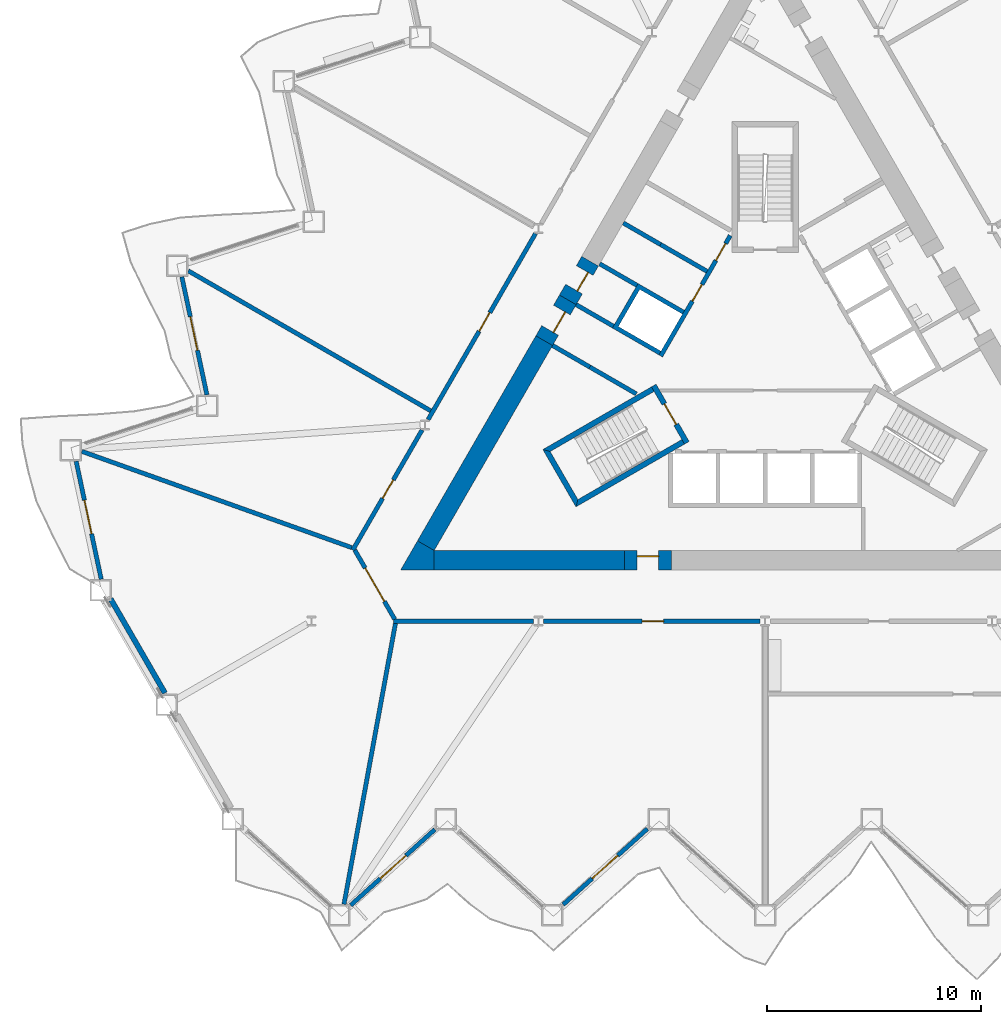
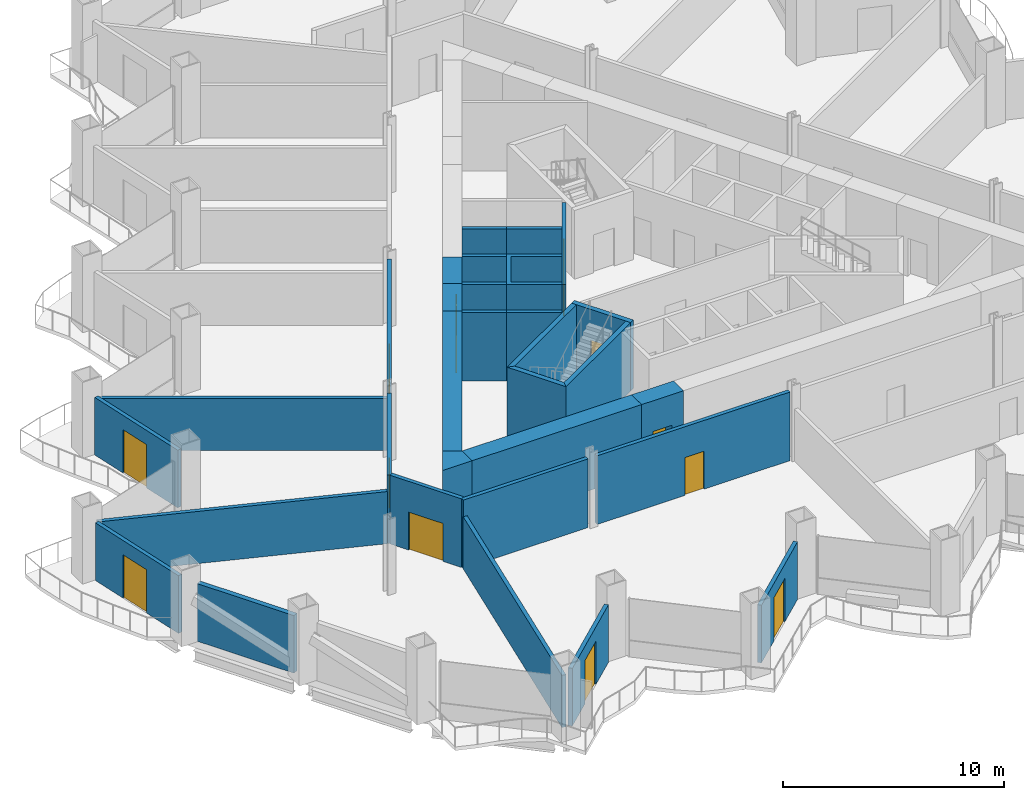
# One storey, part 9 of 21: 31 walls, 14 doors, 14 openings.
"""IFC4 building model written with IfcOpenShell, lengths in metres."""

from ifc_helpers import new_model, si_unit, direction, frame, frame_2d, origin, place, context, subcontext, project, spatial, polyline, rectangle, outline, extrude, material, layer, layer_set, type_object, element, fill, save


model = new_model("IFC4")

# Units and contexts
model_context = context("Model", 3, precision=1e-05, world=origin(), true_north=direction((0.0, 1.0)))
body_context = subcontext(model_context, "Body", "Model", "MODEL_VIEW")
ifc_project = project(units=[si_unit("LENGTHUNIT", "METRE"), si_unit("AREAUNIT", "SQUARE_METRE"), si_unit("VOLUMEUNIT", "CUBIC_METRE"), si_unit("PLANEANGLEUNIT", "RADIAN"), si_unit("MASSUNIT", "GRAM", prefix="KILO")], contexts=[model_context])

# Site, building, storey
site_placement = place(None, origin())
site = spatial("IfcSite", under=ifc_project, at=site_placement, CompositionType="ELEMENT")
building_placement = place(site_placement, origin())
building = spatial("IfcBuilding", under=site, at=building_placement, Name="Cormorant Prow Tower", CompositionType="ELEMENT")
storey_placement = place(building_placement, frame((0.0, 0.0, 80.39990234375)))
storey = spatial("IfcBuildingStorey", under=building, at=storey_placement, Name="L17", CompositionType="ELEMENT", Elevation=80.39990234375)

# Walls
ifc_material_1 = material(Name="Concrete 8000 psi", Category="concrete")
ifc_layer_1 = layer(ifc_material_1, 0.89990234375)
ifc_layer_set_1 = layer_set([ifc_layer_1], Name="Concrete 8000 psi")
wall_type_1 = type_object("IfcWallType", Name="Core shear wall 900", PredefinedType="SHEAR", material=ifc_layer_set_1)
wall_1_placement = place(storey_placement, frame((-15.441162109375, -9.364990234375, 0.0), z_axis=(0.0, 0.0, 1.0), x_axis=(1.0, 0.0, 0.0)))
element("IfcWall", 1, at=wall_1_placement, inside=storey, type_object=wall_type_1, Name="Core wall", PredefinedType="SHEAR", context=body_context, shape_type="SweptSolid", body=[
    extrude(rectangle(XDim=8.87060546875, YDim=0.89990234375, at=frame_2d((4.435302734375, 0.0))), origin(), (0.0, 0.0, 1.0), 3.800048828125),
])
wall_2_placement = place(storey_placement, frame((-10.310302734375, 0.8720703125, 0.0), z_axis=(0.0, 0.0, 1.0), x_axis=(-0.499991697393, -0.866030197244, 0.0)))
element("IfcWall", 2, at=wall_2_placement, inside=storey, type_object=wall_type_1, Name="Core wall", PredefinedType="SHEAR", context=body_context, shape_type="SweptSolid", body=[
    extrude(rectangle(XDim=11.041259765625, YDim=0.89990234375, at=frame_2d((5.5205078125, 0.0))), origin(), (0.0, 0.0, 1.0), 3.800048828125),
])
wall_3_placement = place(storey_placement, origin())
element("IfcWall", 3, at=wall_3_placement, inside=storey, type_object=wall_type_1, Name="Core wall corner", PredefinedType="SHEAR", context=body_context, shape_type="SweptSolid", body=[
    extrude(outline(polyline([(-16.220703125, -8.465087890625), (-15.441162109375, -8.9150390625), (-15.441162109375, -9.81494140625), (-17.0, -9.81494140625), (-16.220703125, -8.465087890625)])), origin(), (0.0, 0.0, 1.0), 3.800048828125),
])

# Wall, opening, door
wall_4_placement = place(storey_placement, frame((-6.570556640625, -9.364990234375, 0.0), z_axis=(0.0, 0.0, 1.0), x_axis=(1.0, 0.0, 0.0)))
wall_4 = element("IfcWall", 4, at=wall_4_placement, inside=storey, type_object=wall_type_1, Name="Core wall door panel", PredefinedType="SHEAR", context=body_context, shape_type="SweptSolid", body=[
    extrude(rectangle(XDim=2.199951171875, YDim=0.89990234375, at=frame_2d((1.10009765625, 0.0))), origin(), (0.0, 0.0, 1.0), 3.800048828125),
])
opening_1_placement = place(wall_4_placement, frame((0.60009765625, 0.0, 0.0)))
opening_1 = element("IfcOpeningElement", 5, at=opening_1_placement, cuts=wall_4, Name="Opening L17-C16", PredefinedType="OPENING", context=body_context, shape_type="SweptSolid", body=[
    extrude(rectangle(XDim=1.0, YDim=2.10009765625, at=frame_2d((0.5, 1.050048828125))), frame((0.0, 0.4599609375, 0.0), z_axis=(0.0, -1.0, 0.0), x_axis=(1.0, 0.0, 0.0)), (0.0, 0.0, 1.0), 0.919921875),
])
ifc_material_2 = material(Name="Painted steel", Category="steel")
door_type_1 = type_object("IfcDoorType", Name="Service door 1000x2100", OperationType="NOTDEFINED", PredefinedType="DOOR", material=ifc_material_2)
door_1_placement = place(opening_1_placement, origin())
door_1 = element("IfcDoor", 6, at=door_1_placement, inside=storey, type_object=door_type_1, Name="Core door, Pantry store", OperationType="SINGLE_SWING_LEFT", OverallHeight=2.10009765625, OverallWidth=1.0, PredefinedType="DOOR", context=body_context, shape_type="SweptSolid", body=[
    extrude(rectangle(XDim=1.0, YDim=2.10009765625, at=frame_2d((0.5, 1.050048828125))), frame((0.0, 0.205078125, 0.0), z_axis=(0.0, -1.0, 0.0), x_axis=(1.0, 0.0, 0.0)), (0.0, 0.0, 1.0), 0.050048828125),
])
fill(opening_1, door_1)

wall_5_placement = place(storey_placement, frame((-8.17041015625, 4.57861328125, 0.0), z_axis=(0.0, 0.0, 1.0), x_axis=(-0.499888406853, -0.866089822532, 0.0)))
wall_5 = element("IfcWall", 7, at=wall_5_placement, inside=storey, type_object=wall_type_1, Name="Core wall door panel", PredefinedType="SHEAR", context=body_context, shape_type="SweptSolid", body=[
    extrude(rectangle(XDim=2.080078125, YDim=0.89990234375, at=frame_2d((1.0400390625, 0.0))), origin(), (0.0, 0.0, 1.0), 3.800048828125),
])
opening_2_placement = place(wall_5_placement, frame((0.5, 0.0, 0.0)))
opening_2 = element("IfcOpeningElement", 8, at=opening_2_placement, cuts=wall_5, Name="Opening L17-C19", PredefinedType="OPENING", context=body_context, shape_type="SweptSolid", body=[
    extrude(rectangle(XDim=1.0, YDim=2.10009765625, at=frame_2d((0.5, 1.050048828125))), frame((0.0, 0.4599609375, 0.0), z_axis=(0.0, -1.0, 0.0), x_axis=(1.0, 0.0, 0.0)), (0.0, 0.0, 1.0), 0.919921875),
])
door_2_placement = place(opening_2_placement, origin())
door_2 = element("IfcDoor", 9, at=door_2_placement, inside=storey, type_object=door_type_1, Name="Core door, Telecom room", OperationType="SINGLE_SWING_RIGHT", OverallHeight=2.10009765625, OverallWidth=1.0, PredefinedType="DOOR", context=body_context, shape_type="SweptSolid", body=[
    extrude(rectangle(XDim=1.0, YDim=2.10009765625, at=frame_2d((0.5, 1.050048828125))), frame((0.0, 0.205078125, 0.0), z_axis=(0.0, -1.0, 0.0), x_axis=(1.0, 0.0, 0.0)), (0.0, 0.0, 1.0), 0.050048828125),
])
fill(opening_2, door_2)

wall_6_placement = place(storey_placement, frame((-9.210205078125, 2.777099609375, 0.0), z_axis=(0.0, 0.0, 1.0), x_axis=(-0.500077893725, -0.86598042715, 0.0)))
wall_6 = element("IfcWall", 10, at=wall_6_placement, inside=storey, type_object=wall_type_1, Name="Core wall door panel", PredefinedType="SHEAR", context=body_context, shape_type="SweptSolid", body=[
    extrude(rectangle(XDim=2.199951171875, YDim=0.89990234375, at=frame_2d((1.10009765625, 0.0))), origin(), (0.0, 0.0, 1.0), 3.800048828125),
])
opening_3_placement = place(wall_6_placement, frame((0.550048828125, 0.0, 0.0)))
opening_3 = element("IfcOpeningElement", 11, at=opening_3_placement, cuts=wall_6, Name="Opening L17-C23", PredefinedType="OPENING", context=body_context, shape_type="SweptSolid", body=[
    extrude(rectangle(XDim=1.10009765625, YDim=2.10009765625, at=frame_2d((0.550048828125, 1.050048828125))), frame((0.0, 0.4599609375, 0.0), z_axis=(0.0, -1.0, 0.0), x_axis=(1.0, 0.0, 0.0)), (0.0, 0.0, 1.0), 0.919921875),
])
ifc_material_3 = material(Name="Painted steel", Category="steel")
door_type_2 = type_object("IfcDoorType", Name="Core door 1100x2100", OperationType="NOTDEFINED", PredefinedType="DOOR", material=ifc_material_3)
door_3_placement = place(opening_3_placement, origin())
door_3 = element("IfcDoor", 12, at=door_3_placement, inside=storey, type_object=door_type_2, Name="Core door, lift lobby", OperationType="SINGLE_SWING_LEFT", OverallHeight=2.10009765625, OverallWidth=1.10009765625, PredefinedType="DOOR", context=body_context, shape_type="SweptSolid", body=[
    extrude(rectangle(XDim=1.10009765625, YDim=2.10009765625, at=frame_2d((0.550048828125, 1.050048828125))), frame((0.0, 0.205078125, 0.0), z_axis=(0.0, -1.0, 0.0), x_axis=(1.0, 0.0, 0.0)), (0.0, 0.0, 1.0), 0.050048828125),
])
fill(opening_3, door_3)

ifc_material_4 = material(Name="Gypsum board corridor wall")
ifc_layer_2 = layer(ifc_material_4, 0.199951171875)
ifc_layer_set_2 = layer_set([ifc_layer_2], Name="Gypsum board corridor wall")
wall_type_2 = type_object("IfcWallType", Name="Corridor wall 200", PredefinedType="PARTITIONING", material=ifc_layer_set_2)
wall_7_placement = place(storey_placement, frame((-10.336181640625, -12.215087890625, 0.0), z_axis=(0.0, 0.0, 1.0), x_axis=(1.0, 0.0, 0.0)))
wall_7 = element("IfcWall", 13, at=wall_7_placement, inside=storey, type_object=wall_type_2, Name="Corridor wall", PredefinedType="PARTITIONING", context=body_context, shape_type="SweptSolid", body=[
    extrude(rectangle(XDim=10.093994140625, YDim=0.199951171875, at=frame_2d((5.046875, 0.0))), origin(), (0.0, 0.0, 1.0), 3.800048828125),
])
opening_4_placement = place(wall_7_placement, frame((4.597412109375, 0.0, 0.0)))
opening_4 = element("IfcOpeningElement", 14, at=opening_4_placement, cuts=wall_7, Name="Opening L17-F01", PredefinedType="OPENING", context=body_context, shape_type="SweptSolid", body=[
    extrude(rectangle(XDim=1.0, YDim=2.10009765625, at=frame_2d((0.5, 1.050048828125))), frame((0.0, 0.10986328125, 0.0), z_axis=(0.0, -1.0, 0.0), x_axis=(1.0, 0.0, 0.0)), (0.0, 0.0, 1.0), 0.219970703125),
])
ifc_material_5 = material(Name="Timber door leaf", Category="wood")
door_type_3 = type_object("IfcDoorType", Name="Office door 1000x2100", OperationType="NOTDEFINED", PredefinedType="DOOR", material=ifc_material_5)
door_4_placement = place(opening_4_placement, origin())
door_4 = element("IfcDoor", 15, at=door_4_placement, inside=storey, type_object=door_type_3, Name="Tenant suite door", OperationType="SINGLE_SWING_RIGHT", OverallHeight=2.10009765625, OverallWidth=1.0, PredefinedType="DOOR", context=body_context, shape_type="SweptSolid", body=[
    extrude(rectangle(XDim=1.0, YDim=2.10009765625, at=frame_2d((0.5, 1.050048828125))), frame((0.0, 0.02490234375, 0.0), z_axis=(0.0, -1.0, 0.0), x_axis=(1.0, 0.0, 0.0)), (0.0, 0.0, 1.0), 0.050048828125),
])
fill(opening_4, door_4)

wall_8_placement = place(storey_placement, frame((-15.727783203125, -2.811279296875, 0.0), z_axis=(0.0, 0.0, 1.0), x_axis=(0.49999175339, 0.866030164915, 0.0)))
wall_8 = element("IfcWall", 16, at=wall_8_placement, inside=storey, type_object=wall_type_2, Name="Corridor wall", PredefinedType="PARTITIONING", context=body_context, shape_type="SweptSolid", body=[
    extrude(rectangle(XDim=10.018798828125, YDim=0.199951171875, at=frame_2d((5.00927734375, 0.0))), origin(), (0.0, 0.0, 1.0), 3.800048828125),
])
opening_5_placement = place(wall_8_placement, frame((4.760009765625, 0.0, 0.0)))
opening_5 = element("IfcOpeningElement", 17, at=opening_5_placement, cuts=wall_8, Name="Opening L17-F15", PredefinedType="OPENING", context=body_context, shape_type="SweptSolid", body=[
    extrude(rectangle(XDim=1.0, YDim=2.10009765625, at=frame_2d((0.5, 1.050048828125))), frame((0.0, 0.10986328125, 0.0), z_axis=(0.0, -1.0, 0.0), x_axis=(1.0, 0.0, 0.0)), (0.0, 0.0, 1.0), 0.219970703125),
])
door_5_placement = place(opening_5_placement, origin())
door_5 = element("IfcDoor", 18, at=door_5_placement, inside=storey, type_object=door_type_3, Name="Co-working room door", OperationType="SINGLE_SWING_RIGHT", OverallHeight=2.10009765625, OverallWidth=1.0, PredefinedType="DOOR", context=body_context, shape_type="SweptSolid", body=[
    extrude(rectangle(XDim=1.0, YDim=2.10009765625, at=frame_2d((0.5, 1.050048828125))), frame((0.0, 0.02490234375, 0.0), z_axis=(0.0, -1.0, 0.0), x_axis=(1.0, 0.0, 0.0)), (0.0, 0.0, 1.0), 0.050048828125),
])
fill(opening_5, door_5)

# Wall
wall_9_placement = place(storey_placement, frame((-17.330810546875, -12.215087890625, 0.0), z_axis=(0.0, 0.0, 1.0), x_axis=(1.0, 0.0, 0.0)))
element("IfcWall", 19, at=wall_9_placement, inside=storey, type_object=wall_type_2, Name="Corridor wall", PredefinedType="PARTITIONING", context=body_context, shape_type="SweptSolid", body=[
    extrude(rectangle(XDim=6.510009765625, YDim=0.199951171875, at=frame_2d((3.2548828125, 0.0))), origin(), (0.0, 0.0, 1.0), 3.800048828125),
])

# Wall, opening, door
wall_10_placement = place(storey_placement, frame((-19.243896484375, -8.901611328125, 0.0), z_axis=(0.0, 0.0, 1.0), x_axis=(0.499984737558, 0.86603421538, 0.0)))
wall_10 = element("IfcWall", 20, at=wall_10_placement, inside=storey, type_object=wall_type_2, Name="Corridor wall", PredefinedType="PARTITIONING", context=body_context, shape_type="SweptSolid", body=[
    extrude(rectangle(XDim=6.472900390625, YDim=0.199951171875, at=frame_2d((3.236328125, 0.0))), origin(), (0.0, 0.0, 1.0), 3.800048828125),
])
opening_6_placement = place(wall_10_placement, frame((2.787109375, 0.0, 0.0)))
opening_6 = element("IfcOpeningElement", 21, at=opening_6_placement, cuts=wall_10, Name="Opening L17-F16", PredefinedType="OPENING", context=body_context, shape_type="SweptSolid", body=[
    extrude(rectangle(XDim=1.0, YDim=2.10009765625, at=frame_2d((0.5, 1.050048828125))), frame((0.0, 0.10986328125, 0.0), z_axis=(0.0, -1.0, 0.0), x_axis=(1.0, 0.0, 0.0)), (0.0, 0.0, 1.0), 0.219970703125),
])
door_6_placement = place(opening_6_placement, origin())
door_6 = element("IfcDoor", 22, at=door_6_placement, inside=storey, type_object=door_type_3, Name="Tenant suite door", OperationType="SINGLE_SWING_RIGHT", OverallHeight=2.10009765625, OverallWidth=1.0, PredefinedType="DOOR", context=body_context, shape_type="SweptSolid", body=[
    extrude(rectangle(XDim=1.0, YDim=2.10009765625, at=frame_2d((0.5, 1.050048828125))), frame((0.0, 0.02490234375, 0.0), z_axis=(0.0, -1.0, 0.0), x_axis=(1.0, 0.0, 0.0)), (0.0, 0.0, 1.0), 0.050048828125),
])
fill(opening_6, door_6)

wall_11_placement = place(storey_placement, frame((-19.143798828125, -8.901611328125, 0.0), z_axis=(0.0, 0.0, 1.0), x_axis=(0.499958791762, -0.866049194065, 0.0)))
wall_11 = element("IfcWall", 23, at=wall_11_placement, inside=storey, type_object=wall_type_2, Name="Corridor wall", PredefinedType="PARTITIONING", context=body_context, shape_type="SweptSolid", body=[
    extrude(rectangle(XDim=3.725830078125, YDim=0.199951171875, at=frame_2d((1.86279296875, 0.0))), origin(), (0.0, 0.0, 1.0), 3.800048828125),
])
opening_7_placement = place(wall_11_placement, frame((0.962890625, 0.0, 0.0)))
opening_7 = element("IfcOpeningElement", 24, at=opening_7_placement, cuts=wall_11, Name="Opening L17-F17", PredefinedType="OPENING", context=body_context, shape_type="SweptSolid", body=[
    extrude(rectangle(XDim=1.800048828125, YDim=2.10009765625, at=frame_2d((0.89990234375, 1.050048828125))), frame((0.0, 0.10986328125, 0.0), z_axis=(0.0, -1.0, 0.0), x_axis=(1.0, 0.0, 0.0)), (0.0, 0.0, 1.0), 0.219970703125),
])
ifc_material_6 = material(Name="Timber door leaf", Category="wood")
door_type_4 = type_object("IfcDoorType", Name="Double door 1800x2100", OperationType="DOUBLE_DOOR_SINGLE_SWING", PredefinedType="DOOR", material=ifc_material_6)
door_7_placement = place(opening_7_placement, origin())
door_7 = element("IfcDoor", 25, at=door_7_placement, inside=storey, type_object=door_type_4, Name="Open-plan office door", OperationType="DOUBLE_DOOR_SINGLE_SWING", OverallHeight=2.10009765625, OverallWidth=1.800048828125, PredefinedType="DOOR", context=body_context, shape_type="SweptSolid", body=[
    extrude(rectangle(XDim=1.800048828125, YDim=2.10009765625, at=frame_2d((0.89990234375, 1.050048828125))), frame((0.0, 0.02490234375, 0.0), z_axis=(0.0, -1.0, 0.0), x_axis=(1.0, 0.0, 0.0)), (0.0, 0.0, 1.0), 0.050048828125),
])
fill(opening_7, door_7)

# Walls
ifc_material_7 = material(Name="Gypsum board demising wall")
ifc_layer_3 = layer(ifc_material_7, 0.199951171875)
ifc_layer_set_3 = layer_set([ifc_layer_3], Name="Gypsum board demising wall")
wall_type_3 = type_object("IfcWallType", Name="Demising wall 200", PredefinedType="PARTITIONING", material=ifc_layer_set_3)
wall_12_placement = place(storey_placement, frame((-31.87939453125, -4.292724609375, 0.0), z_axis=(0.0, 0.0, 1.0), x_axis=(0.94194008836, -0.33578098508, 0.0)))
element("IfcWall", 26, at=wall_12_placement, inside=storey, type_object=wall_type_3, Name="Demising wall", PredefinedType="PARTITIONING", context=body_context, shape_type="SweptSolid", body=[
    extrude(rectangle(XDim=13.367431640625, YDim=0.199951171875, at=frame_2d((6.68359375, 0.0))), origin(), (0.0, 0.0, 1.0), 2.885498046875),
])
wall_13_placement = place(storey_placement, frame((-19.64990234375, -25.42138671875, 0.0), z_axis=(0.0, 0.0, 1.0), x_axis=(0.180179866985, 0.983633679544, 0.0)))
element("IfcWall", 27, at=wall_13_placement, inside=storey, type_object=wall_type_3, Name="Demising wall", PredefinedType="PARTITIONING", context=body_context, shape_type="SweptSolid", body=[
    extrude(rectangle(XDim=13.326171875, YDim=0.199951171875, at=frame_2d((6.6630859375, 0.0))), origin(), (0.0, 0.0, 1.0), 2.885498046875),
])
wall_14_placement = place(storey_placement, frame((-26.913330078125, 4.12890625, 0.0), z_axis=(0.0, 0.0, 1.0), x_axis=(0.866026475891, -0.499998143053, 0.0)))
element("IfcWall", 28, at=wall_14_placement, inside=storey, type_object=wall_type_3, Name="Demising wall", PredefinedType="PARTITIONING", context=body_context, shape_type="SweptSolid", body=[
    extrude(rectangle(XDim=13.05712890625, YDim=0.199951171875, at=frame_2d((6.528564453125, 0.0))), origin(), (0.0, 0.0, 1.0), 2.885498046875),
])

# Wall, openings, doors
ifc_material_8 = material(Name="Concrete 5000 psi", Category="concrete")
ifc_layer_4 = layer(ifc_material_8, 0.199951171875)
ifc_layer_set_4 = layer_set([ifc_layer_4], Name="Concrete 5000 psi")
wall_type_4 = type_object("IfcWallType", Name="Lift lobby wall 200", PredefinedType="SOLIDWALL", material=ifc_layer_set_4)
wall_15_placement = place(storey_placement, frame((-1.630615234375, 5.775634765625, 0.0), z_axis=(0.0, 0.0, 1.0), x_axis=(-0.499992876559, -0.866029516466, 0.0)))
wall_15 = element("IfcWall", 29, at=wall_15_placement, inside=storey, type_object=wall_type_4, Name="Lift lobby wall, WNW block", PredefinedType="SOLIDWALL", context=body_context, shape_type="SweptSolid", body=[
    extrude(rectangle(XDim=6.486328125, YDim=0.199951171875, at=frame_2d((3.2431640625, 0.0))), origin(), (0.0, 0.0, 1.0), 3.800048828125),
])
opening_8_placement = place(wall_15_placement, frame((0.4365234375, 0.0, 0.0)))
opening_8 = element("IfcOpeningElement", 30, at=opening_8_placement, cuts=wall_15, Name="Opening L17-C09", PredefinedType="OPENING", context=body_context, shape_type="SweptSolid", body=[
    extrude(rectangle(XDim=0.89990234375, YDim=2.10009765625, at=frame_2d((0.449951171875, 1.050048828125))), frame((0.0, 0.10986328125, 0.0), z_axis=(0.0, -1.0, 0.0), x_axis=(1.0, 0.0, 0.0)), (0.0, 0.0, 1.0), 0.219970703125),
])
opening_9_placement = place(wall_15_placement, frame((2.63671875, 0.0, 0.0)))
opening_9 = element("IfcOpeningElement", 31, at=opening_9_placement, cuts=wall_15, Name="Opening L17-C10", PredefinedType="OPENING", context=body_context, shape_type="SweptSolid", body=[
    extrude(rectangle(XDim=0.89990234375, YDim=2.10009765625, at=frame_2d((0.449951171875, 1.050048828125))), frame((0.0, 0.10986328125, 0.0), z_axis=(0.0, -1.0, 0.0), x_axis=(1.0, 0.0, 0.0)), (0.0, 0.0, 1.0), 0.219970703125),
])
ifc_material_9 = material(Name="Painted steel", Category="steel")
door_type_5 = type_object("IfcDoorType", Name="Service door 900x2100", OperationType="NOTDEFINED", PredefinedType="DOOR", material=ifc_material_9)
door_8_placement = place(opening_8_placement, origin())
door_8 = element("IfcDoor", 32, at=door_8_placement, inside=storey, type_object=door_type_5, Name="Service door, Refuse store", OperationType="SINGLE_SWING_LEFT", OverallHeight=2.10009765625, OverallWidth=0.89990234375, PredefinedType="DOOR", context=body_context, shape_type="SweptSolid", body=[
    extrude(rectangle(XDim=0.89990234375, YDim=2.10009765625, at=frame_2d((0.449951171875, 1.050048828125))), frame((0.0, 0.02490234375, 0.0), z_axis=(0.0, -1.0, 0.0), x_axis=(1.0, 0.0, 0.0)), (0.0, 0.0, 1.0), 0.050048828125),
])
fill(opening_8, door_8)
door_9_placement = place(opening_9_placement, origin())
door_9 = element("IfcDoor", 33, at=door_9_placement, inside=storey, type_object=door_type_5, Name="Service door, Pantry store", OperationType="SINGLE_SWING_RIGHT", OverallHeight=2.10009765625, OverallWidth=0.89990234375, PredefinedType="DOOR", context=body_context, shape_type="SweptSolid", body=[
    extrude(rectangle(XDim=0.89990234375, YDim=2.10009765625, at=frame_2d((0.449951171875, 1.050048828125))), frame((0.0, 0.02490234375, 0.0), z_axis=(0.0, -1.0, 0.0), x_axis=(1.0, 0.0, 0.0)), (0.0, 0.0, 1.0), 0.050048828125),
])
fill(opening_9, door_9)

# Walls
ifc_material_10 = material(Name="Concrete 8000 psi", Category="concrete")
ifc_layer_5 = layer(ifc_material_10, 0.199951171875)
ifc_layer_set_5 = layer_set([ifc_layer_5], Name="Concrete 8000 psi")
wall_type_5 = type_object("IfcWallType", Name="Lift shaft wall 200", PredefinedType="SHEAR", material=ifc_layer_set_5)
wall_16_placement = place(storey_placement, origin())
element("IfcWall", 34, at=wall_16_placement, inside=storey, type_object=wall_type_5, Name="Lift shaft walls, WNW block", PredefinedType="SHEAR", context=body_context, shape_type="SweptSolid", body=[
    extrude(outline(polyline([(-6.060546875, -1.697021484375), (-8.230712890625, -0.444091796875), (-8.130859375, -0.27099609375), (-5.96044921875, -1.52392578125), (-6.060546875, -1.697021484375)])), origin(), (0.0, 0.0, 1.0), 3.800048828125),
])
wall_17_placement = place(storey_placement, origin())
element("IfcWall", 35, at=wall_17_placement, inside=storey, type_object=wall_type_5, Name="Lift shaft walls, WNW block", PredefinedType="SHEAR", context=body_context, shape_type="SweptSolid", body=[
    extrude(outline(polyline([(-4.96044921875, 0.2080078125), (-7.130859375, 1.461181640625), (-5.930908203125, 3.53955078125), (-3.760498046875, 2.28662109375), (-3.860595703125, 2.11328125), (-5.852294921875, 3.263427734375), (-6.852294921875, 1.53125), (-4.860595703125, 0.38134765625), (-4.96044921875, 0.2080078125)])), origin(), (0.0, 0.0, 1.0), 3.800048828125),
])
wall_18_placement = place(storey_placement, origin())
element("IfcWall", 36, at=wall_18_placement, inside=storey, type_object=wall_type_5, Name="Lift shaft walls, WNW block", PredefinedType="SHEAR", context=body_context, shape_type="SweptSolid", body=[
    extrude(outline(polyline([(-2.760498046875, 4.018798828125), (-4.930908203125, 5.271728515625), (-4.830810546875, 5.44482421875), (-2.660400390625, 4.19189453125), (-2.760498046875, 4.018798828125)])), origin(), (0.0, 0.0, 1.0), 3.800048828125),
])
wall_19_placement = place(storey_placement, frame((-4.880859375, 5.3583984375, 0.0), z_axis=(0.0, 0.0, 1.0), x_axis=(-0.866035824272, 0.499981950752, 0.0)))
element("IfcWall", 37, at=wall_19_placement, inside=storey, type_object=wall_type_5, Name="Store side wall", PredefinedType="SHEAR", context=body_context, shape_type="SweptSolid", body=[
    extrude(rectangle(XDim=2.0087890625, YDim=0.199951171875, at=frame_2d((1.00439453125, 0.0))), origin(), (0.0, 0.0, 1.0), 3.800048828125),
])
wall_20_placement = place(storey_placement, frame((-5.980712890625, 3.452880859375, 0.0), z_axis=(0.0, 0.0, 1.0), x_axis=(-0.866013584312, 0.500020471368, 0.0)))
element("IfcWall", 38, at=wall_20_placement, inside=storey, type_object=wall_type_5, Name="Store side wall", PredefinedType="SHEAR", context=body_context, shape_type="SweptSolid", body=[
    extrude(rectangle(XDim=2.00927734375, YDim=0.199951171875, at=frame_2d((1.004638671875, 0.0))), origin(), (0.0, 0.0, 1.0), 3.800048828125),
])
wall_21_placement = place(storey_placement, frame((-7.080810546875, 1.547607421875, 0.0), z_axis=(0.0, 0.0, 1.0), x_axis=(-0.865983199114, 0.50007309351, 0.0)))
element("IfcWall", 39, at=wall_21_placement, inside=storey, type_object=wall_type_5, Name="Lobby passage wall", PredefinedType="SHEAR", context=body_context, shape_type="SweptSolid", body=[
    extrude(rectangle(XDim=2.009033203125, YDim=0.199951171875, at=frame_2d((1.00439453125, 0.0))), origin(), (0.0, 0.0, 1.0), 3.800048828125),
])
wall_22_placement = place(storey_placement, frame((-8.180908203125, -0.357421875, 0.0), z_axis=(0.0, 0.0, 1.0), x_axis=(-0.866035824272, 0.499981950752, 0.0)))
element("IfcWall", 40, at=wall_22_placement, inside=storey, type_object=wall_type_5, Name="Lobby passage wall", PredefinedType="SHEAR", context=body_context, shape_type="SweptSolid", body=[
    extrude(rectangle(XDim=2.0087890625, YDim=0.199951171875, at=frame_2d((1.00439453125, 0.0))), origin(), (0.0, 0.0, 1.0), 3.800048828125),
])
ifc_material_11 = material(Name="Concrete 8000 psi", Category="concrete")
ifc_layer_6 = layer(ifc_material_11, 0.25)
ifc_layer_set_6 = layer_set([ifc_layer_6], Name="Concrete 8000 psi")
wall_type_6 = type_object("IfcWallType", Name="Stair wall 250", PredefinedType="SHEAR", material=ifc_layer_set_6)
wall_23_placement = place(storey_placement, origin())
element("IfcWall", 41, at=wall_23_placement, inside=storey, type_object=wall_type_6, Name="Stair ST1 enclosure wall (flank)", PredefinedType="SHEAR", context=body_context, shape_type="SweptSolid", body=[
    extrude(outline(polyline([(-5.30712890625, -1.28125), (-10.37353515625, -4.206298828125), (-10.031982421875, -4.2978515625), (-5.18212890625, -1.497802734375), (-5.30712890625, -1.28125)])), origin(), (0.0, 0.0, 1.0), 3.800048828125),
])
wall_24_placement = place(storey_placement, origin())
element("IfcWall", 42, at=wall_24_placement, inside=storey, type_object=wall_type_6, Name="Stair ST1 enclosure wall (end)", PredefinedType="SHEAR", context=body_context, shape_type="SweptSolid", body=[
    extrude(outline(polyline([(-10.37353515625, -4.206298828125), (-8.82958984375, -6.880615234375), (-8.738037109375, -6.5390625), (-10.031982421875, -4.2978515625), (-10.37353515625, -4.206298828125)])), origin(), (0.0, 0.0, 1.0), 3.800048828125),
])
wall_25_placement = place(storey_placement, origin())
element("IfcWall", 43, at=wall_25_placement, inside=storey, type_object=wall_type_6, Name="Stair ST1 enclosure wall (flank)", PredefinedType="SHEAR", context=body_context, shape_type="SweptSolid", body=[
    extrude(outline(polyline([(-8.738037109375, -6.5390625), (-8.82958984375, -6.880615234375), (-3.76318359375, -3.95556640625), (-3.88818359375, -3.739013671875), (-8.738037109375, -6.5390625)])), origin(), (0.0, 0.0, 1.0), 3.800048828125),
])

# Wall, opening, door
wall_26_placement = place(storey_placement, frame((-5.198974609375, -1.21875, 0.0), z_axis=(0.0, 0.0, 1.0), x_axis=(0.499982516597, -0.866035497597, 0.0)))
wall_26 = element("IfcWall", 44, at=wall_26_placement, inside=storey, type_object=wall_type_6, Name="Stair ST1 door wall", PredefinedType="SHEAR", context=body_context, shape_type="SweptSolid", body=[
    extrude(rectangle(XDim=3.087890625, YDim=0.25, at=frame_2d((1.5439453125, 0.0))), origin(), (0.0, 0.0, 1.0), 3.800048828125),
])
opening_10_placement = place(wall_26_placement, frame((0.993896484375, 0.0, 0.0)))
opening_10 = element("IfcOpeningElement", 45, at=opening_10_placement, cuts=wall_26, Name="Opening L17-C12", PredefinedType="OPENING", context=body_context, shape_type="SweptSolid", body=[
    extrude(rectangle(XDim=1.10009765625, YDim=2.10009765625, at=frame_2d((0.550048828125, 1.050048828125))), frame((0.0, 0.135009765625, 0.0), z_axis=(0.0, -1.0, 0.0), x_axis=(1.0, 0.0, 0.0)), (0.0, 0.0, 1.0), 0.27001953125),
])
ifc_material_12 = material(Name="Painted steel", Category="steel")
door_type_6 = type_object("IfcDoorType", Name="Stair door 1100x2100", OperationType="NOTDEFINED", PredefinedType="DOOR", material=ifc_material_12)
door_10_placement = place(opening_10_placement, origin())
door_10 = element("IfcDoor", 46, at=door_10_placement, inside=storey, type_object=door_type_6, Name="Stair ST1 door", OperationType="SINGLE_SWING_LEFT", OverallHeight=2.10009765625, OverallWidth=1.10009765625, PredefinedType="DOOR", context=body_context, shape_type="SweptSolid", body=[
    extrude(rectangle(XDim=1.10009765625, YDim=2.10009765625, at=frame_2d((0.550048828125, 1.050048828125))), frame((0.0, 0.02490234375, 0.0), z_axis=(0.0, -1.0, 0.0), x_axis=(1.0, 0.0, 0.0)), (0.0, 0.0, 1.0), 0.050048828125),
])
fill(opening_10, door_10)

# Wall
ifc_material_13 = material(Name="Terracotta", Category="masonry")
ifc_layer_7 = layer(ifc_material_13, 0.25)
ifc_layer_set_7 = layer_set([ifc_layer_7], Name="Terracotta")
wall_type_7 = type_object("IfcWallType", Name="Terracotta bay wall 250", PredefinedType="SOLIDWALL", material=ifc_layer_set_7)
wall_27_placement = place(storey_placement, frame((-30.540283203125, -11.172119140625, 0.0), z_axis=(0.0, 0.0, 1.0), x_axis=(0.500004250643, -0.866022949661, 0.0)))
element("IfcWall", 47, at=wall_27_placement, inside=storey, type_object=wall_type_7, Name="Terracotta bay wall WSW00", PredefinedType="SOLIDWALL", context=body_context, shape_type="SweptSolid", body=[
    extrude(rectangle(XDim=5.07470703125, YDim=0.25, at=frame_2d((2.537353515625, 0.0))), origin(), (0.0, 0.0, 1.0), 3.18896484375),
])

# Wall, opening, door
ifc_material_14 = material(Name="Terracotta", Category="masonry")
ifc_layer_8 = layer(ifc_material_14, 0.199951171875)
ifc_layer_set_8 = layer_set([ifc_layer_8], Name="Terracotta")
wall_type_8 = type_object("IfcWallType", Name="Terracotta jamb wall 200", PredefinedType="SOLIDWALL", material=ifc_layer_set_8)
wall_28_placement = place(storey_placement, frame((-19.33740234375, -25.4658203125, 0.0), z_axis=(0.0, 0.0, 1.0), x_axis=(0.743124116755, 0.669153605009, 0.0)))
wall_28 = element("IfcWall", 48, at=wall_28_placement, inside=storey, type_object=wall_type_8, Name="Terracotta jamb wall S01", PredefinedType="SOLIDWALL", context=body_context, shape_type="SweptSolid", body=[
    extrude(rectangle(XDim=5.2841796875, YDim=0.199951171875, at=frame_2d((2.64208984375, 0.0))), origin(), (0.0, 0.0, 1.0), 3.18896484375),
])
opening_11_placement = place(wall_28_placement, frame((1.863037109375, 0.0, 0.0)))
opening_11 = element("IfcOpeningElement", 49, at=opening_11_placement, cuts=wall_28, Name="Opening ED17.01", PredefinedType="OPENING", context=body_context, shape_type="SweptSolid", body=[
    extrude(rectangle(XDim=1.60009765625, YDim=2.39990234375, at=frame_2d((0.800048828125, 1.199951171875))), frame((0.0, 0.10986328125, 0.0), z_axis=(0.0, -1.0, 0.0), x_axis=(1.0, 0.0, 0.0)), (0.0, 0.0, 1.0), 0.219970703125),
])
ifc_material_15 = material(Name="Aluminium 6063-T6", Category="aluminium")
door_type_7 = type_object("IfcDoorType", Name="Balcony door 1600x2400", OperationType="DOUBLE_DOOR_SINGLE_SWING", PredefinedType="DOOR", material=ifc_material_15)
door_11_placement = place(opening_11_placement, origin())
door_11 = element("IfcDoor", 50, at=door_11_placement, inside=storey, type_object=door_type_7, Name="Balcony door S01 ED17.01", OperationType="DOUBLE_DOOR_SINGLE_SWING", OverallHeight=2.39990234375, OverallWidth=1.60009765625, PredefinedType="DOOR", context=body_context, shape_type="SweptSolid", body=[
    extrude(rectangle(XDim=1.60009765625, YDim=2.39990234375, at=frame_2d((0.800048828125, 1.199951171875))), frame((0.0, 0.02490234375, 0.0), z_axis=(0.0, -1.0, 0.0), x_axis=(1.0, 0.0, 0.0)), (0.0, 0.0, 1.0), 0.050048828125),
])
fill(opening_11, door_11)

wall_29_placement = place(storey_placement, frame((-9.42529296875, -25.4375, 0.0), z_axis=(0.0, 0.0, 1.0), x_axis=(0.743133366749, 0.669143332347, 0.0)))
wall_29 = element("IfcWall", 51, at=wall_29_placement, inside=storey, type_object=wall_type_8, Name="Terracotta jamb wall S03", PredefinedType="SOLIDWALL", context=body_context, shape_type="SweptSolid", body=[
    extrude(rectangle(XDim=5.2861328125, YDim=0.199951171875, at=frame_2d((2.64306640625, 0.0))), origin(), (0.0, 0.0, 1.0), 3.18896484375),
])
opening_12_placement = place(wall_29_placement, frame((1.821044921875, 0.0, 0.0)))
opening_12 = element("IfcOpeningElement", 52, at=opening_12_placement, cuts=wall_29, Name="Opening ED17.02", PredefinedType="OPENING", context=body_context, shape_type="SweptSolid", body=[
    extrude(rectangle(XDim=1.60009765625, YDim=2.39990234375, at=frame_2d((0.800048828125, 1.199951171875))), frame((0.0, 0.10986328125, 0.0), z_axis=(0.0, -1.0, 0.0), x_axis=(1.0, 0.0, 0.0)), (0.0, 0.0, 1.0), 0.219970703125),
])
door_12_placement = place(opening_12_placement, origin())
door_12 = element("IfcDoor", 53, at=door_12_placement, inside=storey, type_object=door_type_7, Name="Balcony door S03 ED17.02", OperationType="DOUBLE_DOOR_SINGLE_SWING", OverallHeight=2.39990234375, OverallWidth=1.60009765625, PredefinedType="DOOR", context=body_context, shape_type="SweptSolid", body=[
    extrude(rectangle(XDim=1.60009765625, YDim=2.39990234375, at=frame_2d((0.800048828125, 1.199951171875))), frame((0.0, 0.02490234375, 0.0), z_axis=(0.0, -1.0, 0.0), x_axis=(1.0, 0.0, 0.0)), (0.0, 0.0, 1.0), 0.050048828125),
])
fill(opening_12, door_12)

wall_30_placement = place(storey_placement, frame((-27.21484375, 3.84765625, 0.0), z_axis=(0.0, 0.0, 1.0), x_axis=(0.207901831982, -0.978149696242, 0.0)))
wall_30 = element("IfcWall", 54, at=wall_30_placement, inside=storey, type_object=wall_type_8, Name="Terracotta jamb wall WNW07", PredefinedType="SOLIDWALL", context=body_context, shape_type="SweptSolid", body=[
    extrude(rectangle(XDim=5.626220703125, YDim=0.199951171875, at=frame_2d((2.81298828125, 0.0))), origin(), (0.0, 0.0, 1.0), 3.18896484375),
])
opening_13_placement = place(wall_30_placement, frame((1.903076171875, 0.0, 0.0)))
opening_13 = element("IfcOpeningElement", 55, at=opening_13_placement, cuts=wall_30, Name="Opening ED17.14", PredefinedType="OPENING", context=body_context, shape_type="SweptSolid", body=[
    extrude(rectangle(XDim=1.60009765625, YDim=2.39990234375, at=frame_2d((0.800048828125, 1.199951171875))), frame((0.0, 0.10986328125, 0.0), z_axis=(0.0, -1.0, 0.0), x_axis=(1.0, 0.0, 0.0)), (0.0, 0.0, 1.0), 0.219970703125),
])
door_13_placement = place(opening_13_placement, origin())
door_13 = element("IfcDoor", 56, at=door_13_placement, inside=storey, type_object=door_type_7, Name="Balcony door WNW07 ED17.14", OperationType="DOUBLE_DOOR_SINGLE_SWING", OverallHeight=2.39990234375, OverallWidth=1.60009765625, PredefinedType="DOOR", context=body_context, shape_type="SweptSolid", body=[
    extrude(rectangle(XDim=1.60009765625, YDim=2.39990234375, at=frame_2d((0.800048828125, 1.199951171875))), frame((0.0, 0.02490234375, 0.0), z_axis=(0.0, -1.0, 0.0), x_axis=(1.0, 0.0, 0.0)), (0.0, 0.0, 1.0), 0.050048828125),
])
fill(opening_13, door_13)

wall_31_placement = place(storey_placement, frame((-32.145751953125, -4.75390625, 0.0), z_axis=(0.0, 0.0, 1.0), x_axis=(0.207901831982, -0.978149696242, 0.0)))
wall_31 = element("IfcWall", 57, at=wall_31_placement, inside=storey, type_object=wall_type_8, Name="Terracotta jamb wall WNW09", PredefinedType="SOLIDWALL", context=body_context, shape_type="SweptSolid", body=[
    extrude(rectangle(XDim=5.626220703125, YDim=0.199951171875, at=frame_2d((2.81298828125, 0.0))), origin(), (0.0, 0.0, 1.0), 3.18896484375),
])
opening_14_placement = place(wall_31_placement, frame((1.857666015625, 0.0, 0.0)))
opening_14 = element("IfcOpeningElement", 58, at=opening_14_placement, cuts=wall_31, Name="Opening ED17.15", PredefinedType="OPENING", context=body_context, shape_type="SweptSolid", body=[
    extrude(rectangle(XDim=1.60009765625, YDim=2.39990234375, at=frame_2d((0.800048828125, 1.199951171875))), frame((0.0, 0.10986328125, 0.0), z_axis=(0.0, -1.0, 0.0), x_axis=(1.0, 0.0, 0.0)), (0.0, 0.0, 1.0), 0.219970703125),
])
door_14_placement = place(opening_14_placement, origin())
door_14 = element("IfcDoor", 59, at=door_14_placement, inside=storey, type_object=door_type_7, Name="Balcony door WNW09 ED17.15", OperationType="DOUBLE_DOOR_SINGLE_SWING", OverallHeight=2.39990234375, OverallWidth=1.60009765625, PredefinedType="DOOR", context=body_context, shape_type="SweptSolid", body=[
    extrude(rectangle(XDim=1.60009765625, YDim=2.39990234375, at=frame_2d((0.800048828125, 1.199951171875))), frame((0.0, 0.02490234375, 0.0), z_axis=(0.0, -1.0, 0.0), x_axis=(1.0, 0.0, 0.0)), (0.0, 0.0, 1.0), 0.050048828125),
])
fill(opening_14, door_14)

save(model, "model.ifc")
